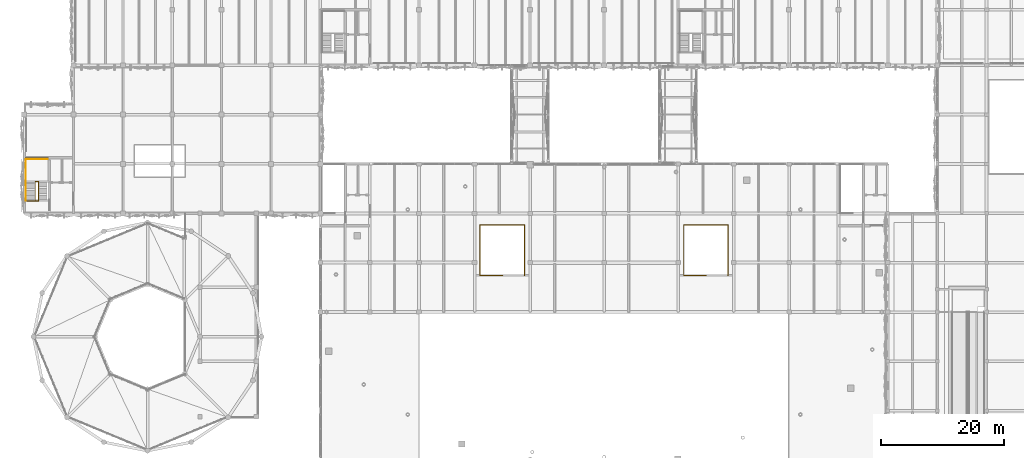
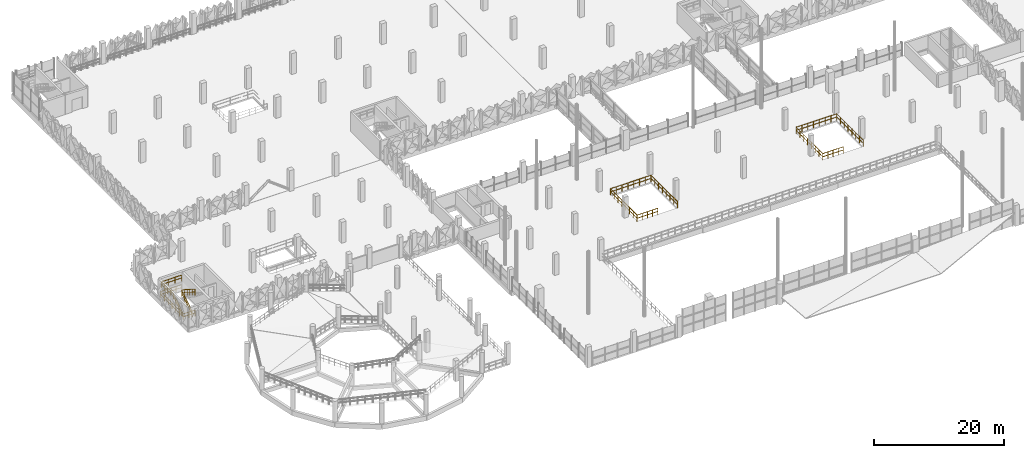
# One storey, part 110 of 123: 5 railings.
"""IFC4 building model written with IfcOpenShell, lengths in metres."""

import ifcopenshell
import ifcopenshell.guid

model = None  # the IFC model being written
_history = None  # IfcOwnerHistory: only IFC2X3 demands one
_inside = {}  # id of a spatial element -> (the spatial element, [elements in it])
_under = {}  # id of a project, library or spatial element -> (it, [spatial elements below it])
_declared = {}  # id of a project -> (the project, [libraries it declares])
_typed = {}  # id of a type object -> (the type object, [elements of that type])
_made_of = {}  # id of a material, layer set ... -> (it, [elements and type objects made of it])


def new_model(schema):
    """Start an empty IFC model of exactly this schema.

    Asked for "IFC4X3", IfcOpenShell would pick the latest addendum, in which some entities
    have other attributes; the version numbers below select the first issue.
    IFC2X3 requires an IfcOwnerHistory on every rooted entity: one is made here for all.
    """
    global model, _history
    if schema == "IFC4X3":
        model = ifcopenshell.file(schema_version=(4, 3, 0, 0))
    else:
        model = ifcopenshell.file(schema=schema)
    _inside.clear()
    _under.clear()
    _declared.clear()
    _typed.clear()
    _made_of.clear()
    _history = None
    if model.schema == "IFC2X3":
        org = make("IfcOrganization", Name="unknown")
        user = make(
            "IfcPersonAndOrganization",
            ThePerson=make("IfcPerson", FamilyName="unknown"),
            TheOrganization=org,
        )
        app = make(
            "IfcApplication",
            ApplicationDeveloper=org,
            Version="unknown",
            ApplicationFullName="unknown",
            ApplicationIdentifier="unknown",
        )
        _history = make(
            "IfcOwnerHistory",
            OwningUser=user,
            OwningApplication=app,
            ChangeAction="ADDED",
            CreationDate=0,
        )
    return model


def make(cls, **values):
    """One entity of the class cls with the attributes given. An attribute that is None is left unset."""
    return model.create_entity(
        cls, **{name: value for name, value in values.items() if value is not None}
    )


def rooted(cls, **values):
    """An entity with a GlobalId (a new one), such as an element, a storey or a relation."""
    return make(cls, GlobalId=ifcopenshell.guid.new(), OwnerHistory=_history, **values)


def si_unit(unit_type, name, prefix=None):
    """IfcSIUnit, for example si_unit("LENGTHUNIT", "METRE", prefix="MILLI")."""
    return make("IfcSIUnit", UnitType=unit_type, Prefix=prefix, Name=name)


def derived_unit(unit_type, elements):
    """IfcDerivedUnit: a product of units, each with its exponent."""
    return make(
        "IfcDerivedUnit",
        Elements=[
            make("IfcDerivedUnitElement", Unit=unit, Exponent=power)
            for unit, power in elements
        ],
        UnitType=unit_type,
    )


def assignment(units):
    """IfcUnitAssignment: the units of a project."""
    return None if units is None else make("IfcUnitAssignment", Units=units)


def point(xyz):
    """IfcCartesianPoint."""
    return None if xyz is None else make("IfcCartesianPoint", Coordinates=xyz)


def direction(xyz):
    """IfcDirection."""
    return None if xyz is None else make("IfcDirection", DirectionRatios=xyz)


def frame(location, z_axis=None, x_axis=None):
    """IfcAxis2Placement3D, a coordinate frame: its origin and axes. An axis left out is left unset."""
    return make(
        "IfcAxis2Placement3D",
        Location=point(location),
        Axis=direction(z_axis),
        RefDirection=direction(x_axis),
    )


def frame_2d(location, x_axis=None):
    """IfcAxis2Placement2D, a coordinate frame in the plane: its origin and x axis."""
    return make(
        "IfcAxis2Placement2D", Location=point(location), RefDirection=direction(x_axis)
    )


def origin():
    """The frame at (0, 0, 0) with its axes left unset."""
    return frame((0.0, 0.0, 0.0))


def origin_2d():
    """The frame at (0, 0) in the plane with its x axis left unset."""
    return frame_2d((0.0, 0.0))


def place(relative_to, where):
    """IfcLocalPlacement: puts the frame where relative to a parent placement (None: the world)."""
    return make(
        "IfcLocalPlacement", PlacementRelTo=relative_to, RelativePlacement=where
    )


def context(
    kind, dimensions, precision=None, world=None, true_north=None, identifier=None
):
    """IfcGeometricRepresentationContext, for example the 3D "Model" context."""
    return make(
        "IfcGeometricRepresentationContext",
        ContextIdentifier=identifier,
        ContextType=kind,
        CoordinateSpaceDimension=dimensions,
        Precision=precision,
        WorldCoordinateSystem=world,
        TrueNorth=true_north,
    )


def subcontext(parent, identifier, kind, view, scale=None):
    """IfcGeometricRepresentationSubContext, for example "Body" below "Model"."""
    return make(
        "IfcGeometricRepresentationSubContext",
        ContextIdentifier=identifier,
        ContextType=kind,
        ParentContext=parent,
        TargetScale=scale,
        TargetView=view,
    )


def project(units=None, contexts=None):
    """IfcProject with its units and contexts."""
    return rooted(
        "IfcProject",
        Name="project",
        RepresentationContexts=contexts,
        UnitsInContext=assignment(units),
    )


def spatial(cls, under=None, at=None, **own):
    """A site, building, storey or space (cls), placed at a placement, below another one or the project."""
    s = rooted(cls, ObjectPlacement=at, **own)
    if under is not None:
        _under.setdefault(under.id(), (under, []))[1].append(s)
    return s


def profile(cls, at=None, kind="AREA", **sizes):
    """A parametric profile (cls). Its sizes go by their IFC names, for example OverallWidth=200.0."""
    return make(cls, ProfileType=kind, Position=at, **sizes)


def circle(**sizes):
    """IfcCircleProfileDef."""
    return profile("IfcCircleProfileDef", **sizes)


def extrude(swept, where, along, depth):
    """IfcExtrudedAreaSolid: the profile swept, set in the frame where, extruded along a direction by depth."""
    return make(
        "IfcExtrudedAreaSolid",
        SweptArea=swept,
        Position=where,
        ExtrudedDirection=direction(along),
        Depth=depth,
    )


def shape(context_of_items, identifier, shape_type, items):
    """IfcShapeRepresentation: the items that make up one representation, for example the "Body"."""
    return make(
        "IfcShapeRepresentation",
        ContextOfItems=context_of_items,
        RepresentationIdentifier=identifier,
        RepresentationType=shape_type,
        Items=items,
    )


def material(Name=None, Category=None):
    """IfcMaterial."""
    return make("IfcMaterial", Name=Name, Category=Category)


def made_of(thing, what):
    """Note that an element or type object is made of a material, layer set ...; save() writes the relation."""
    if what is not None:
        _made_of.setdefault(what.id(), (what, []))[1].append(thing)
    return thing


def type_object(cls, material=None, **own):
    """A type object (cls), such as IfcWallType, which elements share."""
    return made_of(rooted(cls, **own), material)


def element(
    cls,
    number,
    at=None,
    inside=None,
    cuts=None,
    type_object=None,
    material=None,
    context=None,
    identifier="Body",
    shape_type=None,
    held_by="IfcProductDefinitionShape",
    body=None,
    shapes=None,
    **own,
):
    """One element of the class cls, such as IfcWall. Its Tag is "e" and its number.

    at: its placement. inside: the storey or other place that contains it. cuts: it is an
    opening in that element (IfcRelVoidsElement). A single representation is given by context,
    identifier, shape_type and body (its items); several are given by shapes. held_by: the class
    of the entity that holds the representations. save() writes the other relations.
    """
    e = rooted(cls, Tag="e%d" % number, ObjectPlacement=at, **own)
    if body is not None:
        shapes = [shape(context, identifier, shape_type, body)]
    if shapes is not None:
        e.Representation = make(held_by, Representations=shapes)
    if inside is not None:
        _inside.setdefault(inside.id(), (inside, []))[1].append(e)
    if cuts is not None:
        rooted(
            "IfcRelVoidsElement", RelatingBuildingElement=cuts, RelatedOpeningElement=e
        )
    if type_object is not None:
        _typed.setdefault(type_object.id(), (type_object, []))[1].append(e)
    return made_of(e, material)


def aggregate(whole, parts):
    """IfcRelAggregates: a whole, such as a stair, and the parts it consists of."""
    return rooted("IfcRelAggregates", RelatingObject=whole, RelatedObjects=parts)


def save(model, path):
    """Write the relations noted so far, then the file.

    IfcRelAggregates (storeys below a building ...), IfcRelContainedInSpatialStructure (elements
    in a storey), IfcRelDefinesByType, IfcRelAssociatesMaterial and IfcRelDeclares: one each for
    every whole, place, type object, material and project.
    """
    for whole, parts in _under.values():
        aggregate(whole, parts)
    for where, things in _inside.values():
        rooted(
            "IfcRelContainedInSpatialStructure",
            RelatedElements=things,
            RelatingStructure=where,
        )
    for kind, things in _typed.values():
        rooted("IfcRelDefinesByType", RelatedObjects=things, RelatingType=kind)
    for what, things in _made_of.values():
        rooted("IfcRelAssociatesMaterial", RelatedObjects=things, RelatingMaterial=what)
    for by, libraries in _declared.values():
        rooted("IfcRelDeclares", RelatingContext=by, RelatedDefinitions=libraries)
    model.write(path)


model = new_model("IFC4")

# Units and contexts
model_context = context("Model", 3, precision=1e-05, world=origin(), true_north=direction((0.0, 1.0)))
body_context = subcontext(model_context, "Body", "Model", "MODEL_VIEW")
ifc_project = project(units=[si_unit("LENGTHUNIT", "METRE"), si_unit("AREAUNIT", "SQUARE_METRE"), si_unit("VOLUMEUNIT", "CUBIC_METRE"), si_unit("PLANEANGLEUNIT", "RADIAN"), si_unit("MASSUNIT", "GRAM", prefix="KILO"), si_unit("THERMODYNAMICTEMPERATUREUNIT", "KELVIN"), derived_unit("THERMALTRANSMITTANCEUNIT", [(si_unit("POWERUNIT", "WATT"), 1), (si_unit("AREAUNIT", "SQUARE_METRE"), -1), (si_unit("THERMODYNAMICTEMPERATUREUNIT", "KELVIN"), -1)])], contexts=[model_context])

# Site, building, storey
site_placement = place(None, origin())
site = spatial("IfcSite", under=ifc_project, at=site_placement, CompositionType="ELEMENT")
building_placement = place(site_placement, origin())
building = spatial("IfcBuilding", under=site, at=building_placement, Name="Haiyu Intermodal Mobility Hub", CompositionType="ELEMENT")
storey_placement = place(building_placement, frame((0.0, 0.0, 5.60009765625)))
storey = spatial("IfcBuildingStorey", under=building, at=storey_placement, Name="L01", CompositionType="ELEMENT", Elevation=5.60009765625)

# Railings
ifc_material = material(Name="Steel Q355C", Category="steel")
railing_type = type_object("IfcRailingType", Name="RAL-GR03", PredefinedType="GUARDRAIL", material=ifc_material)
railing_1_placement = place(storey_placement, frame((91.550048828125, 69.919921875, 0.0)))
element("IfcRailing", 1, at=railing_1_placement, inside=storey, type_object=railing_type, Name="RAL-CONC-WELL-1", PredefinedType="GUARDRAIL", context=body_context, shape_type="SweptSolid", body=[
    extrude(circle(Radius=0.02392578125, at=origin_2d()), frame((-0.030029296875, 0.0, 1.2158203125), z_axis=(-1.0, 0.0, 0.0), x_axis=(0.0, -1.0, 0.0)), (0.0, 0.0, 1.0), 3.590087890625),
    extrude(circle(Radius=0.02392578125, at=origin_2d()), frame((-0.037353515625, 0.0, 0.6201171875), z_axis=(-1.0, 0.0, 0.0), x_axis=(0.0, -1.0, 0.0)), (0.0, 0.0, 1.0), 0.837890625),
    extrude(circle(Radius=0.02392578125, at=origin_2d()), frame((-0.949951171875, 0.0, 0.6201171875), z_axis=(-1.0, 0.0, 0.0), x_axis=(0.0, -1.0, 0.0)), (0.0, 0.0, 1.0), 0.837890625),
    extrude(circle(Radius=0.02392578125, at=origin_2d()), frame((-1.8623046875, 0.0, 0.6201171875), z_axis=(-1.0, 0.0, 0.0), x_axis=(0.0, -1.0, 0.0)), (0.0, 0.0, 1.0), 0.837890625),
    extrude(circle(Radius=0.02392578125, at=origin_2d()), frame((-2.77490234375, 0.0, 0.6201171875), z_axis=(-1.0, 0.0, 0.0), x_axis=(0.0, -1.0, 0.0)), (0.0, 0.0, 1.0), 0.837890625),
    extrude(circle(Radius=0.02392578125, at=origin_2d()), frame((-3.650146484375, 0.030029296875, 1.2158203125), z_axis=(0.0, 1.0, 0.0), x_axis=(-1.0, 0.0, 0.0)), (0.0, 0.0, 1.0), 8.1201171875),
    extrude(circle(Radius=0.02392578125, at=origin_2d()), frame((-3.650146484375, 0.037353515625, 0.6201171875), z_axis=(0.0, 1.0, 0.0), x_axis=(-1.0, 0.0, 0.0)), (0.0, 0.0, 1.0), 1.093994140625),
    extrude(circle(Radius=0.02392578125, at=origin_2d()), frame((-3.650146484375, 1.205810546875, 0.6201171875), z_axis=(0.0, 1.0, 0.0), x_axis=(-1.0, 0.0, 0.0)), (0.0, 0.0, 1.0), 1.093994140625),
    extrude(circle(Radius=0.02392578125, at=origin_2d()), frame((-3.650146484375, 2.37451171875, 0.6201171875), z_axis=(0.0, 1.0, 0.0), x_axis=(-1.0, 0.0, 0.0)), (0.0, 0.0, 1.0), 1.093994140625),
    extrude(circle(Radius=0.02392578125, at=origin_2d()), frame((-3.650146484375, 3.54296875, 0.6201171875), z_axis=(0.0, 1.0, 0.0), x_axis=(-1.0, 0.0, 0.0)), (0.0, 0.0, 1.0), 1.093994140625),
    extrude(circle(Radius=0.02392578125, at=origin_2d()), frame((-3.650146484375, 4.711669921875, 0.6201171875), z_axis=(0.0, 1.0, 0.0), x_axis=(-1.0, 0.0, 0.0)), (0.0, 0.0, 1.0), 1.093994140625),
    extrude(circle(Radius=0.02392578125, at=origin_2d()), frame((-3.650146484375, 5.88037109375, 0.6201171875), z_axis=(0.0, 1.0, 0.0), x_axis=(-1.0, 0.0, 0.0)), (0.0, 0.0, 1.0), 1.093994140625),
    extrude(circle(Radius=0.02392578125, at=origin_2d()), frame((-3.650146484375, 7.048828125, 0.6201171875), z_axis=(0.0, 1.0, 0.0), x_axis=(-1.0, 0.0, 0.0)), (0.0, 0.0, 1.0), 1.093994140625),
    extrude(circle(Radius=0.02392578125, at=origin_2d()), frame((-3.6201171875, 8.18017578125, 1.2158203125), z_axis=(1.0, 0.0, 0.0), x_axis=(0.0, 1.0, 0.0)), (0.0, 0.0, 1.0), 7.14013671875),
    extrude(circle(Radius=0.02392578125, at=origin_2d()), frame((-3.61279296875, 8.18017578125, 0.6201171875), z_axis=(1.0, 0.0, 0.0), x_axis=(0.0, 1.0, 0.0)), (0.0, 0.0, 1.0), 0.9541015625),
    extrude(circle(Radius=0.02392578125, at=origin_2d()), frame((-2.584228515625, 8.18017578125, 0.6201171875), z_axis=(1.0, 0.0, 0.0), x_axis=(0.0, 1.0, 0.0)), (0.0, 0.0, 1.0), 0.9541015625),
    extrude(circle(Radius=0.02392578125, at=origin_2d()), frame((-1.5556640625, 8.18017578125, 0.6201171875), z_axis=(1.0, 0.0, 0.0), x_axis=(0.0, 1.0, 0.0)), (0.0, 0.0, 1.0), 0.9541015625),
    extrude(circle(Radius=0.02392578125, at=origin_2d()), frame((-0.527099609375, 8.18017578125, 0.6201171875), z_axis=(1.0, 0.0, 0.0), x_axis=(0.0, 1.0, 0.0)), (0.0, 0.0, 1.0), 0.9541015625),
    extrude(circle(Radius=0.02392578125, at=origin_2d()), frame((0.50146484375, 8.18017578125, 0.6201171875), z_axis=(1.0, 0.0, 0.0), x_axis=(0.0, 1.0, 0.0)), (0.0, 0.0, 1.0), 0.9541015625),
    extrude(circle(Radius=0.02392578125, at=origin_2d()), frame((1.530029296875, 8.18017578125, 0.6201171875), z_axis=(1.0, 0.0, 0.0), x_axis=(0.0, 1.0, 0.0)), (0.0, 0.0, 1.0), 0.9541015625),
    extrude(circle(Radius=0.02392578125, at=origin_2d()), frame((2.558837890625, 8.18017578125, 0.6201171875), z_axis=(1.0, 0.0, 0.0), x_axis=(0.0, 1.0, 0.0)), (0.0, 0.0, 1.0), 0.9541015625),
    extrude(circle(Radius=0.02392578125, at=origin_2d()), frame((3.550048828125, 8.150146484375, 1.2158203125), z_axis=(0.0, -1.0, 0.0), x_axis=(1.0, 0.0, 0.0)), (0.0, 0.0, 1.0), 8.1201171875),
    extrude(circle(Radius=0.02392578125, at=origin_2d()), frame((3.550048828125, 8.142822265625, 0.6201171875), z_axis=(0.0, -1.0, 0.0), x_axis=(1.0, 0.0, 0.0)), (0.0, 0.0, 1.0), 1.093994140625),
    extrude(circle(Radius=0.02392578125, at=origin_2d()), frame((3.550048828125, 6.974365234375, 0.6201171875), z_axis=(0.0, -1.0, 0.0), x_axis=(1.0, 0.0, 0.0)), (0.0, 0.0, 1.0), 1.093994140625),
    extrude(circle(Radius=0.02392578125, at=origin_2d()), frame((3.550048828125, 5.8056640625, 0.6201171875), z_axis=(0.0, -1.0, 0.0), x_axis=(1.0, 0.0, 0.0)), (0.0, 0.0, 1.0), 1.093994140625),
    extrude(circle(Radius=0.02392578125, at=origin_2d()), frame((3.550048828125, 4.63720703125, 0.6201171875), z_axis=(0.0, -1.0, 0.0), x_axis=(1.0, 0.0, 0.0)), (0.0, 0.0, 1.0), 1.093994140625),
    extrude(circle(Radius=0.02392578125, at=origin_2d()), frame((3.550048828125, 3.468505859375, 0.6201171875), z_axis=(0.0, -1.0, 0.0), x_axis=(1.0, 0.0, 0.0)), (0.0, 0.0, 1.0), 1.093994140625),
    extrude(circle(Radius=0.02392578125, at=origin_2d()), frame((3.550048828125, 2.2998046875, 0.6201171875), z_axis=(0.0, -1.0, 0.0), x_axis=(1.0, 0.0, 0.0)), (0.0, 0.0, 1.0), 1.093994140625),
    extrude(circle(Radius=0.02392578125, at=origin_2d()), frame((3.550048828125, 1.13134765625, 0.6201171875), z_axis=(0.0, -1.0, 0.0), x_axis=(1.0, 0.0, 0.0)), (0.0, 0.0, 1.0), 1.093994140625),
    extrude(circle(Radius=0.02099609375, at=origin_2d()), origin(), (0.0, 0.0, 1.0), 1.183837890625),
    extrude(circle(Radius=0.02099609375, at=origin_2d()), frame((-0.91259765625, 0.0, 0.0)), (0.0, 0.0, 1.0), 1.183837890625),
    extrude(circle(Radius=0.02099609375, at=origin_2d()), frame((-1.8251953125, 0.0, 0.0)), (0.0, 0.0, 1.0), 1.183837890625),
    extrude(circle(Radius=0.02099609375, at=origin_2d()), frame((-2.737548828125, 0.0, 0.0)), (0.0, 0.0, 1.0), 1.183837890625),
    extrude(circle(Radius=0.02099609375, at=origin_2d()), frame((-3.650146484375, 0.0, 0.0)), (0.0, 0.0, 1.0), 1.183837890625),
    extrude(circle(Radius=0.02099609375, at=origin_2d()), frame((-3.650146484375, 1.168701171875, 0.0)), (0.0, 0.0, 1.0), 1.183837890625),
    extrude(circle(Radius=0.02099609375, at=origin_2d()), frame((-3.650146484375, 2.337158203125, 0.0)), (0.0, 0.0, 1.0), 1.183837890625),
    extrude(circle(Radius=0.02099609375, at=origin_2d()), frame((-3.650146484375, 3.505859375, 0.0)), (0.0, 0.0, 1.0), 1.183837890625),
    extrude(circle(Radius=0.02099609375, at=origin_2d()), frame((-3.650146484375, 4.67431640625, 0.0)), (0.0, 0.0, 1.0), 1.183837890625),
    extrude(circle(Radius=0.02099609375, at=origin_2d()), frame((-3.650146484375, 5.843017578125, 0.0)), (0.0, 0.0, 1.0), 1.183837890625),
    extrude(circle(Radius=0.02099609375, at=origin_2d()), frame((-3.650146484375, 7.011474609375, 0.0)), (0.0, 0.0, 1.0), 1.183837890625),
    extrude(circle(Radius=0.02099609375, at=origin_2d()), frame((-3.650146484375, 8.18017578125, 0.0)), (0.0, 0.0, 1.0), 1.183837890625),
    extrude(circle(Radius=0.02099609375, at=origin_2d()), frame((-2.62158203125, 8.18017578125, 0.0)), (0.0, 0.0, 1.0), 1.183837890625),
    extrude(circle(Radius=0.02099609375, at=origin_2d()), frame((-1.593017578125, 8.18017578125, 0.0)), (0.0, 0.0, 1.0), 1.183837890625),
    extrude(circle(Radius=0.02099609375, at=origin_2d()), frame((-0.564453125, 8.18017578125, 0.0)), (0.0, 0.0, 1.0), 1.183837890625),
    extrude(circle(Radius=0.02099609375, at=origin_2d()), frame((0.46435546875, 8.18017578125, 0.0)), (0.0, 0.0, 1.0), 1.183837890625),
    extrude(circle(Radius=0.02099609375, at=origin_2d()), frame((1.492919921875, 8.18017578125, 0.0)), (0.0, 0.0, 1.0), 1.183837890625),
    extrude(circle(Radius=0.02099609375, at=origin_2d()), frame((2.521484375, 8.18017578125, 0.0)), (0.0, 0.0, 1.0), 1.183837890625),
    extrude(circle(Radius=0.02099609375, at=origin_2d()), frame((3.550048828125, 8.18017578125, 0.0)), (0.0, 0.0, 1.0), 1.183837890625),
    extrude(circle(Radius=0.02099609375, at=origin_2d()), frame((3.550048828125, 7.011474609375, 0.0)), (0.0, 0.0, 1.0), 1.183837890625),
    extrude(circle(Radius=0.02099609375, at=origin_2d()), frame((3.550048828125, 5.843017578125, 0.0)), (0.0, 0.0, 1.0), 1.183837890625),
    extrude(circle(Radius=0.02099609375, at=origin_2d()), frame((3.550048828125, 4.67431640625, 0.0)), (0.0, 0.0, 1.0), 1.183837890625),
    extrude(circle(Radius=0.02099609375, at=origin_2d()), frame((3.550048828125, 3.505859375, 0.0)), (0.0, 0.0, 1.0), 1.183837890625),
    extrude(circle(Radius=0.02099609375, at=origin_2d()), frame((3.550048828125, 2.337158203125, 0.0)), (0.0, 0.0, 1.0), 1.183837890625),
    extrude(circle(Radius=0.02099609375, at=origin_2d()), frame((3.550048828125, 1.168701171875, 0.0)), (0.0, 0.0, 1.0), 1.183837890625),
    extrude(circle(Radius=0.02099609375, at=origin_2d()), frame((3.550048828125, 0.0, 0.0)), (0.0, 0.0, 1.0), 1.183837890625),
])
railing_2_placement = place(storey_placement, frame((124.550048828125, 69.919921875, 0.0)))
element("IfcRailing", 2, at=railing_2_placement, inside=storey, type_object=railing_type, Name="RAL-CONC-WELL-2", PredefinedType="GUARDRAIL", context=body_context, shape_type="SweptSolid", body=[
    extrude(circle(Radius=0.02392578125, at=origin_2d()), frame((-0.030029296875, 0.0, 1.2158203125), z_axis=(-1.0, 0.0, 0.0), x_axis=(0.0, -1.0, 0.0)), (0.0, 0.0, 1.0), 3.590087890625),
    extrude(circle(Radius=0.02392578125, at=origin_2d()), frame((-0.037353515625, 0.0, 0.6201171875), z_axis=(-1.0, 0.0, 0.0), x_axis=(0.0, -1.0, 0.0)), (0.0, 0.0, 1.0), 0.837890625),
    extrude(circle(Radius=0.02392578125, at=origin_2d()), frame((-0.949951171875, 0.0, 0.6201171875), z_axis=(-1.0, 0.0, 0.0), x_axis=(0.0, -1.0, 0.0)), (0.0, 0.0, 1.0), 0.837890625),
    extrude(circle(Radius=0.02392578125, at=origin_2d()), frame((-1.8623046875, 0.0, 0.6201171875), z_axis=(-1.0, 0.0, 0.0), x_axis=(0.0, -1.0, 0.0)), (0.0, 0.0, 1.0), 0.837890625),
    extrude(circle(Radius=0.02392578125, at=origin_2d()), frame((-2.77490234375, 0.0, 0.6201171875), z_axis=(-1.0, 0.0, 0.0), x_axis=(0.0, -1.0, 0.0)), (0.0, 0.0, 1.0), 0.837890625),
    extrude(circle(Radius=0.02392578125, at=origin_2d()), frame((-3.650146484375, 0.030029296875, 1.2158203125), z_axis=(0.0, 1.0, 0.0), x_axis=(-1.0, 0.0, 0.0)), (0.0, 0.0, 1.0), 8.1201171875),
    extrude(circle(Radius=0.02392578125, at=origin_2d()), frame((-3.650146484375, 0.037353515625, 0.6201171875), z_axis=(0.0, 1.0, 0.0), x_axis=(-1.0, 0.0, 0.0)), (0.0, 0.0, 1.0), 1.093994140625),
    extrude(circle(Radius=0.02392578125, at=origin_2d()), frame((-3.650146484375, 1.205810546875, 0.6201171875), z_axis=(0.0, 1.0, 0.0), x_axis=(-1.0, 0.0, 0.0)), (0.0, 0.0, 1.0), 1.093994140625),
    extrude(circle(Radius=0.02392578125, at=origin_2d()), frame((-3.650146484375, 2.37451171875, 0.6201171875), z_axis=(0.0, 1.0, 0.0), x_axis=(-1.0, 0.0, 0.0)), (0.0, 0.0, 1.0), 1.093994140625),
    extrude(circle(Radius=0.02392578125, at=origin_2d()), frame((-3.650146484375, 3.54296875, 0.6201171875), z_axis=(0.0, 1.0, 0.0), x_axis=(-1.0, 0.0, 0.0)), (0.0, 0.0, 1.0), 1.093994140625),
    extrude(circle(Radius=0.02392578125, at=origin_2d()), frame((-3.650146484375, 4.711669921875, 0.6201171875), z_axis=(0.0, 1.0, 0.0), x_axis=(-1.0, 0.0, 0.0)), (0.0, 0.0, 1.0), 1.093994140625),
    extrude(circle(Radius=0.02392578125, at=origin_2d()), frame((-3.650146484375, 5.88037109375, 0.6201171875), z_axis=(0.0, 1.0, 0.0), x_axis=(-1.0, 0.0, 0.0)), (0.0, 0.0, 1.0), 1.093994140625),
    extrude(circle(Radius=0.02392578125, at=origin_2d()), frame((-3.650146484375, 7.048828125, 0.6201171875), z_axis=(0.0, 1.0, 0.0), x_axis=(-1.0, 0.0, 0.0)), (0.0, 0.0, 1.0), 1.093994140625),
    extrude(circle(Radius=0.02392578125, at=origin_2d()), frame((-3.6201171875, 8.18017578125, 1.2158203125), z_axis=(1.0, 0.0, 0.0), x_axis=(0.0, 1.0, 0.0)), (0.0, 0.0, 1.0), 7.14013671875),
    extrude(circle(Radius=0.02392578125, at=origin_2d()), frame((-3.61279296875, 8.18017578125, 0.6201171875), z_axis=(1.0, 0.0, 0.0), x_axis=(0.0, 1.0, 0.0)), (0.0, 0.0, 1.0), 0.9541015625),
    extrude(circle(Radius=0.02392578125, at=origin_2d()), frame((-2.584228515625, 8.18017578125, 0.6201171875), z_axis=(1.0, 0.0, 0.0), x_axis=(0.0, 1.0, 0.0)), (0.0, 0.0, 1.0), 0.9541015625),
    extrude(circle(Radius=0.02392578125, at=origin_2d()), frame((-1.5556640625, 8.18017578125, 0.6201171875), z_axis=(1.0, 0.0, 0.0), x_axis=(0.0, 1.0, 0.0)), (0.0, 0.0, 1.0), 0.9541015625),
    extrude(circle(Radius=0.02392578125, at=origin_2d()), frame((-0.527099609375, 8.18017578125, 0.6201171875), z_axis=(1.0, 0.0, 0.0), x_axis=(0.0, 1.0, 0.0)), (0.0, 0.0, 1.0), 0.9541015625),
    extrude(circle(Radius=0.02392578125, at=origin_2d()), frame((0.50146484375, 8.18017578125, 0.6201171875), z_axis=(1.0, 0.0, 0.0), x_axis=(0.0, 1.0, 0.0)), (0.0, 0.0, 1.0), 0.9541015625),
    extrude(circle(Radius=0.02392578125, at=origin_2d()), frame((1.530029296875, 8.18017578125, 0.6201171875), z_axis=(1.0, 0.0, 0.0), x_axis=(0.0, 1.0, 0.0)), (0.0, 0.0, 1.0), 0.9541015625),
    extrude(circle(Radius=0.02392578125, at=origin_2d()), frame((2.558837890625, 8.18017578125, 0.6201171875), z_axis=(1.0, 0.0, 0.0), x_axis=(0.0, 1.0, 0.0)), (0.0, 0.0, 1.0), 0.9541015625),
    extrude(circle(Radius=0.02392578125, at=origin_2d()), frame((3.550048828125, 8.150146484375, 1.2158203125), z_axis=(0.0, -1.0, 0.0), x_axis=(1.0, 0.0, 0.0)), (0.0, 0.0, 1.0), 8.1201171875),
    extrude(circle(Radius=0.02392578125, at=origin_2d()), frame((3.550048828125, 8.142822265625, 0.6201171875), z_axis=(0.0, -1.0, 0.0), x_axis=(1.0, 0.0, 0.0)), (0.0, 0.0, 1.0), 1.093994140625),
    extrude(circle(Radius=0.02392578125, at=origin_2d()), frame((3.550048828125, 6.974365234375, 0.6201171875), z_axis=(0.0, -1.0, 0.0), x_axis=(1.0, 0.0, 0.0)), (0.0, 0.0, 1.0), 1.093994140625),
    extrude(circle(Radius=0.02392578125, at=origin_2d()), frame((3.550048828125, 5.8056640625, 0.6201171875), z_axis=(0.0, -1.0, 0.0), x_axis=(1.0, 0.0, 0.0)), (0.0, 0.0, 1.0), 1.093994140625),
    extrude(circle(Radius=0.02392578125, at=origin_2d()), frame((3.550048828125, 4.63720703125, 0.6201171875), z_axis=(0.0, -1.0, 0.0), x_axis=(1.0, 0.0, 0.0)), (0.0, 0.0, 1.0), 1.093994140625),
    extrude(circle(Radius=0.02392578125, at=origin_2d()), frame((3.550048828125, 3.468505859375, 0.6201171875), z_axis=(0.0, -1.0, 0.0), x_axis=(1.0, 0.0, 0.0)), (0.0, 0.0, 1.0), 1.093994140625),
    extrude(circle(Radius=0.02392578125, at=origin_2d()), frame((3.550048828125, 2.2998046875, 0.6201171875), z_axis=(0.0, -1.0, 0.0), x_axis=(1.0, 0.0, 0.0)), (0.0, 0.0, 1.0), 1.093994140625),
    extrude(circle(Radius=0.02392578125, at=origin_2d()), frame((3.550048828125, 1.13134765625, 0.6201171875), z_axis=(0.0, -1.0, 0.0), x_axis=(1.0, 0.0, 0.0)), (0.0, 0.0, 1.0), 1.093994140625),
    extrude(circle(Radius=0.02099609375, at=origin_2d()), origin(), (0.0, 0.0, 1.0), 1.183837890625),
    extrude(circle(Radius=0.02099609375, at=origin_2d()), frame((-0.91259765625, 0.0, 0.0)), (0.0, 0.0, 1.0), 1.183837890625),
    extrude(circle(Radius=0.02099609375, at=origin_2d()), frame((-1.8251953125, 0.0, 0.0)), (0.0, 0.0, 1.0), 1.183837890625),
    extrude(circle(Radius=0.02099609375, at=origin_2d()), frame((-2.737548828125, 0.0, 0.0)), (0.0, 0.0, 1.0), 1.183837890625),
    extrude(circle(Radius=0.02099609375, at=origin_2d()), frame((-3.650146484375, 0.0, 0.0)), (0.0, 0.0, 1.0), 1.183837890625),
    extrude(circle(Radius=0.02099609375, at=origin_2d()), frame((-3.650146484375, 1.168701171875, 0.0)), (0.0, 0.0, 1.0), 1.183837890625),
    extrude(circle(Radius=0.02099609375, at=origin_2d()), frame((-3.650146484375, 2.337158203125, 0.0)), (0.0, 0.0, 1.0), 1.183837890625),
    extrude(circle(Radius=0.02099609375, at=origin_2d()), frame((-3.650146484375, 3.505859375, 0.0)), (0.0, 0.0, 1.0), 1.183837890625),
    extrude(circle(Radius=0.02099609375, at=origin_2d()), frame((-3.650146484375, 4.67431640625, 0.0)), (0.0, 0.0, 1.0), 1.183837890625),
    extrude(circle(Radius=0.02099609375, at=origin_2d()), frame((-3.650146484375, 5.843017578125, 0.0)), (0.0, 0.0, 1.0), 1.183837890625),
    extrude(circle(Radius=0.02099609375, at=origin_2d()), frame((-3.650146484375, 7.011474609375, 0.0)), (0.0, 0.0, 1.0), 1.183837890625),
    extrude(circle(Radius=0.02099609375, at=origin_2d()), frame((-3.650146484375, 8.18017578125, 0.0)), (0.0, 0.0, 1.0), 1.183837890625),
    extrude(circle(Radius=0.02099609375, at=origin_2d()), frame((-2.62158203125, 8.18017578125, 0.0)), (0.0, 0.0, 1.0), 1.183837890625),
    extrude(circle(Radius=0.02099609375, at=origin_2d()), frame((-1.593017578125, 8.18017578125, 0.0)), (0.0, 0.0, 1.0), 1.183837890625),
    extrude(circle(Radius=0.02099609375, at=origin_2d()), frame((-0.564453125, 8.18017578125, 0.0)), (0.0, 0.0, 1.0), 1.183837890625),
    extrude(circle(Radius=0.02099609375, at=origin_2d()), frame((0.46435546875, 8.18017578125, 0.0)), (0.0, 0.0, 1.0), 1.183837890625),
    extrude(circle(Radius=0.02099609375, at=origin_2d()), frame((1.492919921875, 8.18017578125, 0.0)), (0.0, 0.0, 1.0), 1.183837890625),
    extrude(circle(Radius=0.02099609375, at=origin_2d()), frame((2.521484375, 8.18017578125, 0.0)), (0.0, 0.0, 1.0), 1.183837890625),
    extrude(circle(Radius=0.02099609375, at=origin_2d()), frame((3.550048828125, 8.18017578125, 0.0)), (0.0, 0.0, 1.0), 1.183837890625),
    extrude(circle(Radius=0.02099609375, at=origin_2d()), frame((3.550048828125, 7.011474609375, 0.0)), (0.0, 0.0, 1.0), 1.183837890625),
    extrude(circle(Radius=0.02099609375, at=origin_2d()), frame((3.550048828125, 5.843017578125, 0.0)), (0.0, 0.0, 1.0), 1.183837890625),
    extrude(circle(Radius=0.02099609375, at=origin_2d()), frame((3.550048828125, 4.67431640625, 0.0)), (0.0, 0.0, 1.0), 1.183837890625),
    extrude(circle(Radius=0.02099609375, at=origin_2d()), frame((3.550048828125, 3.505859375, 0.0)), (0.0, 0.0, 1.0), 1.183837890625),
    extrude(circle(Radius=0.02099609375, at=origin_2d()), frame((3.550048828125, 2.337158203125, 0.0)), (0.0, 0.0, 1.0), 1.183837890625),
    extrude(circle(Radius=0.02099609375, at=origin_2d()), frame((3.550048828125, 1.168701171875, 0.0)), (0.0, 0.0, 1.0), 1.183837890625),
    extrude(circle(Radius=0.02099609375, at=origin_2d()), frame((3.550048828125, 0.0, 0.0)), (0.0, 0.0, 1.0), 1.183837890625),
])
railing_3_placement = place(storey_placement, frame((16.31005859375, 82.010009765625, 0.0)))
element("IfcRailing", 3, at=railing_3_placement, inside=storey, type_object=railing_type, Name="Stair Shaft Floor Guard STR-C7-L00", PredefinedType="GUARDRAIL", context=body_context, shape_type="SweptSolid", body=[
    extrude(circle(Radius=0.02392578125, at=origin_2d()), frame((-0.030029296875, 0.0, 1.09619140625), z_axis=(-1.0, 0.0, 0.0), x_axis=(0.0, -1.0, 0.0)), (0.0, 0.0, 1.0), 2.030029296875),
    extrude(circle(Radius=0.02392578125, at=origin_2d()), frame((-0.037353515625, 0.0, 0.56005859375), z_axis=(-1.0, 0.0, 0.0), x_axis=(0.0, -1.0, 0.0)), (0.0, 0.0, 1.0), 0.970458984375),
    extrude(circle(Radius=0.02392578125, at=origin_2d()), frame((-1.082275390625, 0.0, 0.56005859375), z_axis=(-1.0, 0.0, 0.0), x_axis=(0.0, -1.0, 0.0)), (0.0, 0.0, 1.0), 0.970458984375),
    extrude(circle(Radius=0.02392578125, at=origin_2d()), frame((-2.090087890625, 0.030029296875, 1.09619140625), z_axis=(0.0, 1.0, 0.0), x_axis=(-1.0, 0.0, 0.0)), (0.0, 0.0, 1.0), 6.8798828125),
    extrude(circle(Radius=0.02392578125, at=origin_2d()), frame((-2.090087890625, 0.037353515625, 0.56005859375), z_axis=(0.0, 1.0, 0.0), x_axis=(-1.0, 0.0, 0.0)), (0.0, 0.0, 1.0), 1.08203125),
    extrude(circle(Radius=0.02392578125, at=origin_2d()), frame((-2.090087890625, 1.19384765625, 0.56005859375), z_axis=(0.0, 1.0, 0.0), x_axis=(-1.0, 0.0, 0.0)), (0.0, 0.0, 1.0), 1.08203125),
    extrude(circle(Radius=0.02392578125, at=origin_2d()), frame((-2.090087890625, 2.3505859375, 0.56005859375), z_axis=(0.0, 1.0, 0.0), x_axis=(-1.0, 0.0, 0.0)), (0.0, 0.0, 1.0), 1.08203125),
    extrude(circle(Radius=0.02392578125, at=origin_2d()), frame((-2.090087890625, 3.50732421875, 0.56005859375), z_axis=(0.0, 1.0, 0.0), x_axis=(-1.0, 0.0, 0.0)), (0.0, 0.0, 1.0), 1.08203125),
    extrude(circle(Radius=0.02392578125, at=origin_2d()), frame((-2.090087890625, 4.663818359375, 0.56005859375), z_axis=(0.0, 1.0, 0.0), x_axis=(-1.0, 0.0, 0.0)), (0.0, 0.0, 1.0), 1.08203125),
    extrude(circle(Radius=0.02392578125, at=origin_2d()), frame((-2.090087890625, 5.820556640625, 0.56005859375), z_axis=(0.0, 1.0, 0.0), x_axis=(-1.0, 0.0, 0.0)), (0.0, 0.0, 1.0), 1.08203125),
    extrude(circle(Radius=0.02392578125, at=origin_2d()), frame((-2.06005859375, 6.93994140625, 1.09619140625), z_axis=(1.0, 0.0, 0.0), x_axis=(0.0, 1.0, 0.0)), (0.0, 0.0, 1.0), 3.590087890625),
    extrude(circle(Radius=0.02392578125, at=origin_2d()), frame((-2.052734375, 6.93994140625, 0.56005859375), z_axis=(1.0, 0.0, 0.0), x_axis=(0.0, 1.0, 0.0)), (0.0, 0.0, 1.0), 0.837890625),
    extrude(circle(Radius=0.02392578125, at=origin_2d()), frame((-1.14013671875, 6.93994140625, 0.56005859375), z_axis=(1.0, 0.0, 0.0), x_axis=(0.0, 1.0, 0.0)), (0.0, 0.0, 1.0), 0.837890625),
    extrude(circle(Radius=0.02392578125, at=origin_2d()), frame((-0.227783203125, 6.93994140625, 0.56005859375), z_axis=(1.0, 0.0, 0.0), x_axis=(0.0, 1.0, 0.0)), (0.0, 0.0, 1.0), 0.837890625),
    extrude(circle(Radius=0.02392578125, at=origin_2d()), frame((0.684814453125, 6.93994140625, 0.56005859375), z_axis=(1.0, 0.0, 0.0), x_axis=(0.0, 1.0, 0.0)), (0.0, 0.0, 1.0), 0.837890625),
    extrude(circle(Radius=0.02099609375, at=origin_2d()), origin(), (0.0, 0.0, 1.0), 1.06396484375),
    extrude(circle(Radius=0.02099609375, at=origin_2d()), frame((-1.044921875, 0.0, 0.0)), (0.0, 0.0, 1.0), 1.06396484375),
    extrude(circle(Radius=0.02099609375, at=origin_2d()), frame((-2.090087890625, 0.0, 0.0)), (0.0, 0.0, 1.0), 1.06396484375),
    extrude(circle(Radius=0.02099609375, at=origin_2d()), frame((-2.090087890625, 1.15673828125, 0.0)), (0.0, 0.0, 1.0), 1.06396484375),
    extrude(circle(Radius=0.02099609375, at=origin_2d()), frame((-2.090087890625, 2.313232421875, 0.0)), (0.0, 0.0, 1.0), 1.06396484375),
    extrude(circle(Radius=0.02099609375, at=origin_2d()), frame((-2.090087890625, 3.469970703125, 0.0)), (0.0, 0.0, 1.0), 1.06396484375),
    extrude(circle(Radius=0.02099609375, at=origin_2d()), frame((-2.090087890625, 4.626708984375, 0.0)), (0.0, 0.0, 1.0), 1.06396484375),
    extrude(circle(Radius=0.02099609375, at=origin_2d()), frame((-2.090087890625, 5.783203125, 0.0)), (0.0, 0.0, 1.0), 1.06396484375),
    extrude(circle(Radius=0.02099609375, at=origin_2d()), frame((-2.090087890625, 6.93994140625, 0.0)), (0.0, 0.0, 1.0), 1.06396484375),
    extrude(circle(Radius=0.02099609375, at=origin_2d()), frame((-1.177490234375, 6.93994140625, 0.0)), (0.0, 0.0, 1.0), 1.06396484375),
    extrude(circle(Radius=0.02099609375, at=origin_2d()), frame((-0.26513671875, 6.93994140625, 0.0)), (0.0, 0.0, 1.0), 1.06396484375),
    extrude(circle(Radius=0.02099609375, at=origin_2d()), frame((0.6474609375, 6.93994140625, 0.0)), (0.0, 0.0, 1.0), 1.06396484375),
    extrude(circle(Radius=0.02099609375, at=origin_2d()), frame((1.56005859375, 6.93994140625, 0.0)), (0.0, 0.0, 1.0), 1.06396484375),
])
railing_4_placement = place(storey_placement, frame((15.780029296875, 82.050048828125, 0.0)))
element("IfcRailing", 4, at=railing_4_placement, inside=storey, type_object=railing_type, Name="Stair Well Guard STR-C7-L01", PredefinedType="GUARDRAIL", context=body_context, shape_type="SweptSolid", body=[
    extrude(circle(Radius=0.02392578125, at=origin_2d()), frame((0.0, 0.025390625, 1.11181640625), z_axis=(0.0, 0.848756196164, 0.528784378999), x_axis=(-1.0, 0.0, 0.0)), (0.0, 0.0, 1.0), 3.627685546875),
    extrude(circle(Radius=0.02392578125, at=origin_2d()), frame((0.0, 0.03173828125, 0.579833984375), z_axis=(0.0, 0.848756196164, 0.528784378999), x_axis=(-1.0, 0.0, 0.0)), (0.0, 0.0, 1.0), 0.847412109375),
    extrude(circle(Radius=0.02392578125, at=origin_2d()), frame((0.0, 0.814208984375, 1.0673828125), z_axis=(0.0, 0.848756196164, 0.528784378999), x_axis=(-1.0, 0.0, 0.0)), (0.0, 0.0, 1.0), 0.847412109375),
    extrude(circle(Radius=0.02392578125, at=origin_2d()), frame((0.0, 1.5966796875, 1.5546875), z_axis=(0.0, 0.848756196164, 0.528784378999), x_axis=(-1.0, 0.0, 0.0)), (0.0, 0.0, 1.0), 0.847412109375),
    extrude(circle(Radius=0.02392578125, at=origin_2d()), frame((0.0, 2.379150390625, 2.042236328125), z_axis=(0.0, 0.848756196164, 0.528784378999), x_axis=(-1.0, 0.0, 0.0)), (0.0, 0.0, 1.0), 0.847412109375),
    extrude(circle(Radius=0.02392578125, at=origin_2d()), frame((0.030029296875, 3.1298828125, 3.0458984375), z_axis=(1.0, 0.0, 0.0), x_axis=(0.0, 1.0, 0.0)), (0.0, 0.0, 1.0), 0.469970703125),
    extrude(circle(Radius=0.02392578125, at=origin_2d()), frame((0.037353515625, 3.1298828125, 2.510009765625), z_axis=(1.0, 0.0, 0.0), x_axis=(0.0, 1.0, 0.0)), (0.0, 0.0, 1.0), 0.455322265625),
    extrude(circle(Radius=0.02392578125, at=origin_2d()), frame((0.530029296875, 3.1044921875, 3.061767578125), z_axis=(0.0, -0.848756196164, 0.528784378999), x_axis=(1.0, 0.0, 0.0)), (0.0, 0.0, 1.0), 3.627685546875),
    extrude(circle(Radius=0.02392578125, at=origin_2d()), frame((0.530029296875, 3.09814453125, 2.52978515625), z_axis=(0.0, -0.848756196164, 0.528784378999), x_axis=(1.0, 0.0, 0.0)), (0.0, 0.0, 1.0), 0.847412109375),
    extrude(circle(Radius=0.02392578125, at=origin_2d()), frame((0.530029296875, 2.315673828125, 3.017333984375), z_axis=(0.0, -0.848756196164, 0.528784378999), x_axis=(1.0, 0.0, 0.0)), (0.0, 0.0, 1.0), 0.847412109375),
    extrude(circle(Radius=0.02392578125, at=origin_2d()), frame((0.530029296875, 1.533203125, 3.504638671875), z_axis=(0.0, -0.848756196164, 0.528784378999), x_axis=(1.0, 0.0, 0.0)), (0.0, 0.0, 1.0), 0.847412109375),
    extrude(circle(Radius=0.02392578125, at=origin_2d()), frame((0.530029296875, 0.750732421875, 3.9921875), z_axis=(0.0, -0.848756196164, 0.528784378999), x_axis=(1.0, 0.0, 0.0)), (0.0, 0.0, 1.0), 0.847412109375),
    extrude(circle(Radius=0.02099609375, at=origin_2d()), origin(), (0.0, 0.0, 1.0), 1.06396484375),
    extrude(circle(Radius=0.02099609375, at=origin_2d()), frame((0.0, 0.782470703125, 0.487548828125)), (0.0, 0.0, 1.0), 1.06396484375),
    extrude(circle(Radius=0.02099609375, at=origin_2d()), frame((0.0, 1.56494140625, 0.97509765625)), (0.0, 0.0, 1.0), 1.06396484375),
    extrude(circle(Radius=0.02099609375, at=origin_2d()), frame((0.0, 2.347412109375, 1.46240234375)), (0.0, 0.0, 1.0), 1.06396484375),
    extrude(circle(Radius=0.02099609375, at=origin_2d()), frame((0.0, 3.1298828125, 1.949951171875)), (0.0, 0.0, 1.0), 1.06396484375),
    extrude(circle(Radius=0.02099609375, at=origin_2d()), frame((0.530029296875, 3.1298828125, 1.949951171875)), (0.0, 0.0, 1.0), 1.06396484375),
    extrude(circle(Radius=0.02099609375, at=origin_2d()), frame((0.530029296875, 2.347412109375, 2.4375)), (0.0, 0.0, 1.0), 1.06396484375),
    extrude(circle(Radius=0.02099609375, at=origin_2d()), frame((0.530029296875, 1.56494140625, 2.9248046875)), (0.0, 0.0, 1.0), 1.06396484375),
    extrude(circle(Radius=0.02099609375, at=origin_2d()), frame((0.530029296875, 0.782470703125, 3.412353515625)), (0.0, 0.0, 1.0), 1.06396484375),
    extrude(circle(Radius=0.02099609375, at=origin_2d()), frame((0.530029296875, 0.0, 3.89990234375)), (0.0, 0.0, 1.0), 1.06396484375),
])
railing_5_placement = place(storey_placement, frame((14.25, 82.050048828125, 0.0)))
element("IfcRailing", 5, at=railing_5_placement, inside=storey, type_object=railing_type, Name="Stair Outer Guard STR-C7-L01", PredefinedType="GUARDRAIL", context=body_context, shape_type="SweptSolid", body=[
    extrude(circle(Radius=0.02392578125, at=origin_2d()), frame((0.0, 0.025390625, 1.112060546875), z_axis=(0.0, 0.844894753029, 0.534932571736), x_axis=(-1.0, 0.0, 0.0)), (0.0, 0.0, 1.0), 3.585205078125),
    extrude(circle(Radius=0.02392578125, at=origin_2d()), frame((0.0, 0.031494140625, 0.580078125), z_axis=(0.0, 0.844894753029, 0.534932571736), x_axis=(-1.0, 0.0, 0.0)), (0.0, 0.0, 1.0), 0.836669921875),
    extrude(circle(Radius=0.02392578125, at=origin_2d()), frame((0.0, 0.801513671875, 1.0673828125), z_axis=(0.0, 0.844894753029, 0.534932571736), x_axis=(-1.0, 0.0, 0.0)), (0.0, 0.0, 1.0), 0.836669921875),
    extrude(circle(Radius=0.02392578125, at=origin_2d()), frame((0.0, 1.571533203125, 1.554931640625), z_axis=(0.0, 0.844894753029, 0.534932571736), x_axis=(-1.0, 0.0, 0.0)), (0.0, 0.0, 1.0), 0.836669921875),
    extrude(circle(Radius=0.02392578125, at=origin_2d()), frame((0.0, 2.34130859375, 2.04248046875), z_axis=(0.0, 0.844894753029, 0.534932571736), x_axis=(-1.0, 0.0, 0.0)), (0.0, 0.0, 1.0), 0.836669921875),
    extrude(circle(Radius=0.02392578125, at=origin_2d()), frame((0.0, 3.10986328125, 3.0458984375), z_axis=(0.0, 1.0, 0.0), x_axis=(-1.0, 0.0, 0.0)), (0.0, 0.0, 1.0), 3.570068359375),
    extrude(circle(Radius=0.02392578125, at=origin_2d()), frame((0.0, 3.1171875, 2.510009765625), z_axis=(0.0, 1.0, 0.0), x_axis=(-1.0, 0.0, 0.0)), (0.0, 0.0, 1.0), 0.8330078125),
    extrude(circle(Radius=0.02392578125, at=origin_2d()), frame((0.0, 4.024658203125, 2.510009765625), z_axis=(0.0, 1.0, 0.0), x_axis=(-1.0, 0.0, 0.0)), (0.0, 0.0, 1.0), 0.8330078125),
    extrude(circle(Radius=0.02392578125, at=origin_2d()), frame((0.0, 4.93212890625, 2.510009765625), z_axis=(0.0, 1.0, 0.0), x_axis=(-1.0, 0.0, 0.0)), (0.0, 0.0, 1.0), 0.8330078125),
    extrude(circle(Radius=0.02392578125, at=origin_2d()), frame((0.0, 5.83984375, 2.510009765625), z_axis=(0.0, 1.0, 0.0), x_axis=(-1.0, 0.0, 0.0)), (0.0, 0.0, 1.0), 0.8330078125),
    extrude(circle(Radius=0.02392578125, at=origin_2d()), frame((0.030029296875, 6.7099609375, 3.0458984375), z_axis=(1.0, 0.0, 0.0), x_axis=(0.0, 1.0, 0.0)), (0.0, 0.0, 1.0), 3.52001953125),
    extrude(circle(Radius=0.02392578125, at=origin_2d()), frame((0.037353515625, 6.7099609375, 2.510009765625), z_axis=(1.0, 0.0, 0.0), x_axis=(0.0, 1.0, 0.0)), (0.0, 0.0, 1.0), 1.11865234375),
    extrude(circle(Radius=0.02392578125, at=origin_2d()), frame((1.230712890625, 6.7099609375, 2.510009765625), z_axis=(1.0, 0.0, 0.0), x_axis=(0.0, 1.0, 0.0)), (0.0, 0.0, 1.0), 1.11865234375),
    extrude(circle(Radius=0.02392578125, at=origin_2d()), frame((2.424072265625, 6.7099609375, 2.510009765625), z_axis=(1.0, 0.0, 0.0), x_axis=(0.0, 1.0, 0.0)), (0.0, 0.0, 1.0), 1.11865234375),
    extrude(circle(Radius=0.02099609375, at=origin_2d()), origin(), (0.0, 0.0, 1.0), 1.06396484375),
    extrude(circle(Radius=0.02099609375, at=origin_2d()), frame((0.0, 0.77001953125, 0.487548828125)), (0.0, 0.0, 1.0), 1.06396484375),
    extrude(circle(Radius=0.02099609375, at=origin_2d()), frame((0.0, 1.5400390625, 0.97509765625)), (0.0, 0.0, 1.0), 1.06396484375),
    extrude(circle(Radius=0.02099609375, at=origin_2d()), frame((0.0, 2.309814453125, 1.46240234375)), (0.0, 0.0, 1.0), 1.06396484375),
    extrude(circle(Radius=0.02099609375, at=origin_2d()), frame((0.0, 3.079833984375, 1.949951171875)), (0.0, 0.0, 1.0), 1.06396484375),
    extrude(circle(Radius=0.02099609375, at=origin_2d()), frame((0.0, 3.9873046875, 1.949951171875)), (0.0, 0.0, 1.0), 1.06396484375),
    extrude(circle(Radius=0.02099609375, at=origin_2d()), frame((0.0, 4.89501953125, 1.949951171875)), (0.0, 0.0, 1.0), 1.06396484375),
    extrude(circle(Radius=0.02099609375, at=origin_2d()), frame((0.0, 5.802490234375, 1.949951171875)), (0.0, 0.0, 1.0), 1.06396484375),
    extrude(circle(Radius=0.02099609375, at=origin_2d()), frame((0.0, 6.7099609375, 1.949951171875)), (0.0, 0.0, 1.0), 1.06396484375),
    extrude(circle(Radius=0.02099609375, at=origin_2d()), frame((1.193359375, 6.7099609375, 1.949951171875)), (0.0, 0.0, 1.0), 1.06396484375),
    extrude(circle(Radius=0.02099609375, at=origin_2d()), frame((2.38671875, 6.7099609375, 1.949951171875)), (0.0, 0.0, 1.0), 1.06396484375),
    extrude(circle(Radius=0.02099609375, at=origin_2d()), frame((3.580078125, 6.7099609375, 1.949951171875)), (0.0, 0.0, 1.0), 1.06396484375),
])

save(model, "model.ifc")
